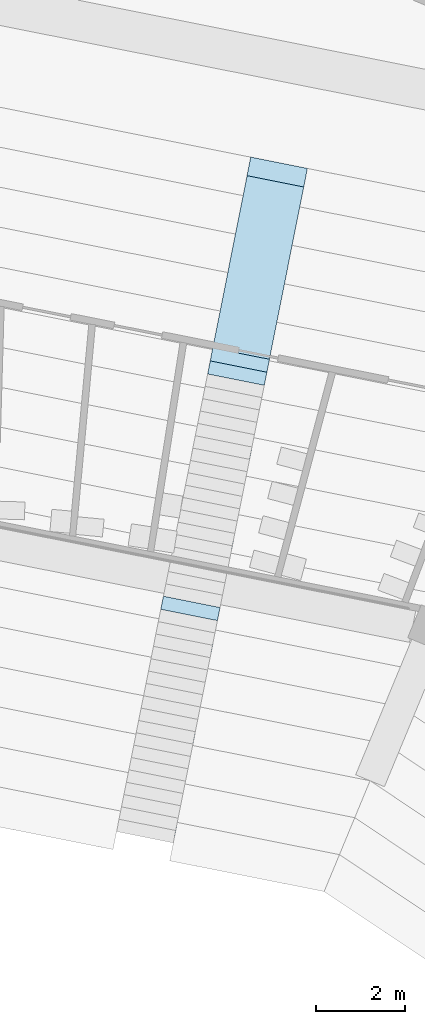
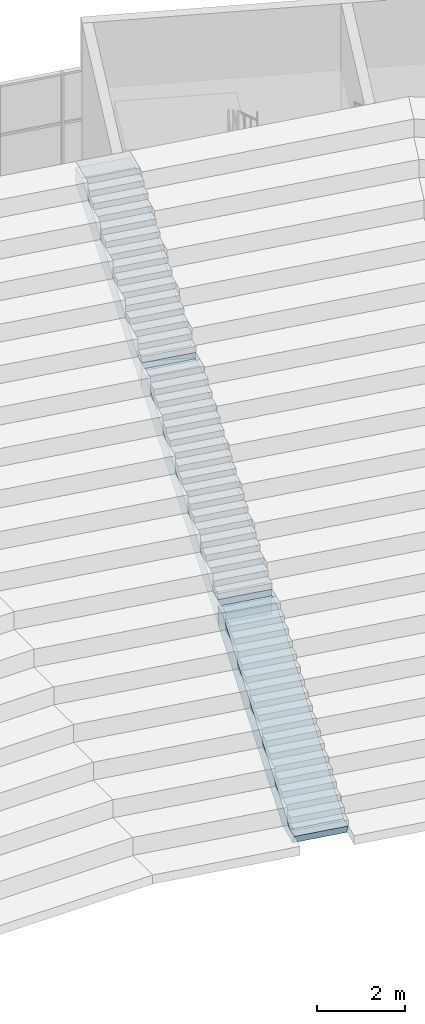
# One storey, part 78 of 249: 3 slabs.
"""IFC4 building model written with IfcOpenShell, lengths in metres."""

from ifc_helpers import new_model, si_unit, direction, frame, origin, place, context, subcontext, project, spatial, polyline, outline, extrude, material, layer, layer_set, type_object, element, save


model = new_model("IFC4")

# Units and contexts
model_context = context("Model", 3, precision=1e-05, world=origin(), true_north=direction((0.0, 1.0)))
body_context = subcontext(model_context, "Body", "Model", "MODEL_VIEW")
ifc_project = project(units=[si_unit("LENGTHUNIT", "METRE"), si_unit("AREAUNIT", "SQUARE_METRE"), si_unit("VOLUMEUNIT", "CUBIC_METRE"), si_unit("PLANEANGLEUNIT", "RADIAN"), si_unit("MASSUNIT", "GRAM", prefix="KILO")], contexts=[model_context])

# Site, building, storey
site_placement = place(None, origin())
site = spatial("IfcSite", under=ifc_project, at=site_placement, CompositionType="ELEMENT")
building_placement = place(site_placement, origin())
building = spatial("IfcBuilding", under=site, at=building_placement, Name="Ogive Plaza Stadium", CompositionType="ELEMENT")
storey_placement = place(building_placement, frame((0.0, 0.0, 13.5)))
storey = spatial("IfcBuildingStorey", under=building, at=storey_placement, Name="L03", CompositionType="ELEMENT", Elevation=13.5)

# Slabs
ifc_material = material(Name="Concrete C40/50", Category="concrete")
ifc_layer_1 = layer(ifc_material, 0.73486328125)
ifc_layer_set_1 = layer_set([ifc_layer_1], Name="Concrete C40/50")
ifc_layer_2 = layer(ifc_material, 0.449951171875)
ifc_layer_set_2 = layer_set([ifc_layer_2], Name="Concrete C40/50")
slab_type = type_object("IfcSlabType", Name="Aisle stair slab 1300", PredefinedType="USERDEFINED", material=ifc_layer_set_2)
slab_1_placement = place(storey_placement, frame((38.1943359375, 73.5869140625, -13.5), z_axis=(0.0, 0.0, 1.0), x_axis=(0.195090322016, 0.980785280403, 0.0)))
element("IfcSlab", 1, at=slab_1_placement, inside=storey, type_object=slab_type, material=ifc_layer_set_1, Name="Aisle stair SA37U slab 1", ObjectType="AISLE STAIR SLAB", PredefinedType="USERDEFINED", context=body_context, shape_type="SweptSolid", body=[
    extrude(outline(polyline([(0.0, 14.0), (0.2958984375, 14.0), (5.10009765625, 16.825927734375), (5.39990234375, 16.825927734375), (5.39990234375, 16.300048828125), (5.359375, 16.27734375), (5.209228515625, 16.194091796875), (5.059326171875, 16.110595703125), (4.9091796875, 16.02734375), (4.75927734375, 15.944091796875), (4.609375, 15.860595703125), (4.459228515625, 15.77734375), (4.309326171875, 15.694091796875), (4.1591796875, 15.610595703125), (4.00927734375, 15.52734375), (3.859375, 15.444091796875), (3.709228515625, 15.360595703125), (3.559326171875, 15.27734375), (3.4091796875, 15.194091796875), (3.25927734375, 15.110595703125), (3.109375, 15.02734375), (2.959228515625, 14.944091796875), (2.809326171875, 14.860595703125), (2.6591796875, 14.77734375), (2.50927734375, 14.694091796875), (2.359375, 14.610595703125), (2.209228515625, 14.52734375), (2.059326171875, 14.444091796875), (1.9091796875, 14.360595703125), (1.75927734375, 14.27734375), (1.609375, 14.194091796875), (1.459228515625, 14.110595703125), (1.309326171875, 14.02734375), (1.1591796875, 13.944091796875), (1.00927734375, 13.860595703125), (0.859375, 13.77734375), (0.709228515625, 13.75), (0.559326171875, 13.75), (0.4091796875, 13.75), (0.25927734375, 13.75), (0.109375, 13.75), (0.0, 14.0)])), frame((0.0, 0.64990234375, 0.0), z_axis=(0.0, -1.0, 0.0), x_axis=(1.0, 0.0, 0.0)), (0.0, 0.0, 1.0), 1.300048828125),
])
ifc_layer_3 = layer(ifc_material, 0.75927734375)
ifc_layer_set_3 = layer_set([ifc_layer_3], Name="Concrete C40/50")
slab_2_placement = place(storey_placement, frame((39.248046875, 78.883056640625, -13.5), z_axis=(0.0, 0.0, 1.0), x_axis=(0.195090322016, 0.980785280403, 0.0)))
element("IfcSlab", 2, at=slab_2_placement, inside=storey, type_object=slab_type, material=ifc_layer_set_3, Name="Aisle stair SA37U slab 2", ObjectType="AISLE STAIR SLAB", PredefinedType="USERDEFINED", context=body_context, shape_type="SweptSolid", body=[
    extrude(outline(polyline([(0.0, 17.0), (0.2958984375, 17.0), (5.10009765625, 19.825927734375), (5.39990234375, 19.825927734375), (5.39990234375, 19.300048828125), (5.25, 19.216796875), (5.10009765625, 19.13330078125), (4.949951171875, 19.050048828125), (4.800048828125, 18.966796875), (4.64990234375, 18.88330078125), (4.5, 18.800048828125), (4.35009765625, 18.716796875), (4.199951171875, 18.63330078125), (4.050048828125, 18.550048828125), (3.89990234375, 18.466796875), (3.75, 18.38330078125), (3.60009765625, 18.300048828125), (3.449951171875, 18.216796875), (3.300048828125, 18.13330078125), (3.14990234375, 18.050048828125), (3.0, 17.966796875), (2.85009765625, 17.88330078125), (2.699951171875, 17.800048828125), (2.550048828125, 17.716796875), (2.39990234375, 17.63330078125), (2.25, 17.550048828125), (2.10009765625, 17.466796875), (1.949951171875, 17.38330078125), (1.800048828125, 17.300048828125), (1.64990234375, 17.216796875), (1.5, 17.13330078125), (1.35009765625, 17.050048828125), (1.199951171875, 16.966796875), (1.050048828125, 16.88330078125), (0.89990234375, 16.800048828125), (0.75, 16.716796875), (0.60009765625, 16.63330078125), (0.449951171875, 16.550048828125), (0.300048828125, 16.466796875), (0.14990234375, 16.38330078125), (0.0, 16.300048828125), (0.0, 17.0)])), frame((0.0, 0.64990234375, 0.0), z_axis=(0.0, -1.0, 0.0), x_axis=(1.0, 0.0, 0.0)), (0.0, 0.0, 1.0), 1.300048828125),
])
ifc_layer_4 = layer(ifc_material, 0.81640625)
ifc_layer_set_4 = layer_set([ifc_layer_4], Name="Concrete C40/50")
slab_3_placement = place(storey_placement, frame((40.301513671875, 84.179443359375, -13.5), z_axis=(0.0, 0.0, 1.0), x_axis=(0.195090322016, 0.980785280403, 0.0)))
element("IfcSlab", 3, at=slab_3_placement, inside=storey, type_object=slab_type, material=ifc_layer_set_4, Name="Aisle stair SA37U slab 3", ObjectType="AISLE STAIR SLAB", PredefinedType="USERDEFINED", context=body_context, shape_type="SweptSolid", body=[
    extrude(outline(polyline([(0.0, 20.0), (0.2958984375, 20.0), (4.25, 22.325927734375), (4.675537109375, 22.325927734375), (4.675537109375, 21.897705078125), (4.64990234375, 21.88330078125), (4.5, 21.800048828125), (4.35009765625, 21.716796875), (4.199951171875, 21.63330078125), (4.050048828125, 21.550048828125), (3.89990234375, 21.466796875), (3.75, 21.38330078125), (3.60009765625, 21.300048828125), (3.449951171875, 21.216796875), (3.300048828125, 21.13330078125), (3.14990234375, 21.050048828125), (3.0, 20.966796875), (2.85009765625, 20.88330078125), (2.699951171875, 20.800048828125), (2.550048828125, 20.716796875), (2.39990234375, 20.63330078125), (2.25, 20.550048828125), (2.10009765625, 20.466796875), (1.949951171875, 20.38330078125), (1.800048828125, 20.300048828125), (1.64990234375, 20.216796875), (1.5, 20.13330078125), (1.35009765625, 20.050048828125), (1.199951171875, 19.966796875), (1.050048828125, 19.88330078125), (0.89990234375, 19.800048828125), (0.75, 19.716796875), (0.60009765625, 19.63330078125), (0.449951171875, 19.550048828125), (0.300048828125, 19.466796875), (0.14990234375, 19.38330078125), (0.0, 19.300048828125), (0.0, 20.0)])), frame((0.0, 0.64990234375, 0.0), z_axis=(0.0, -1.0, 0.0), x_axis=(1.0, 0.0, 0.0)), (0.0, 0.0, 1.0), 1.300048828125),
])

save(model, "model.ifc")
